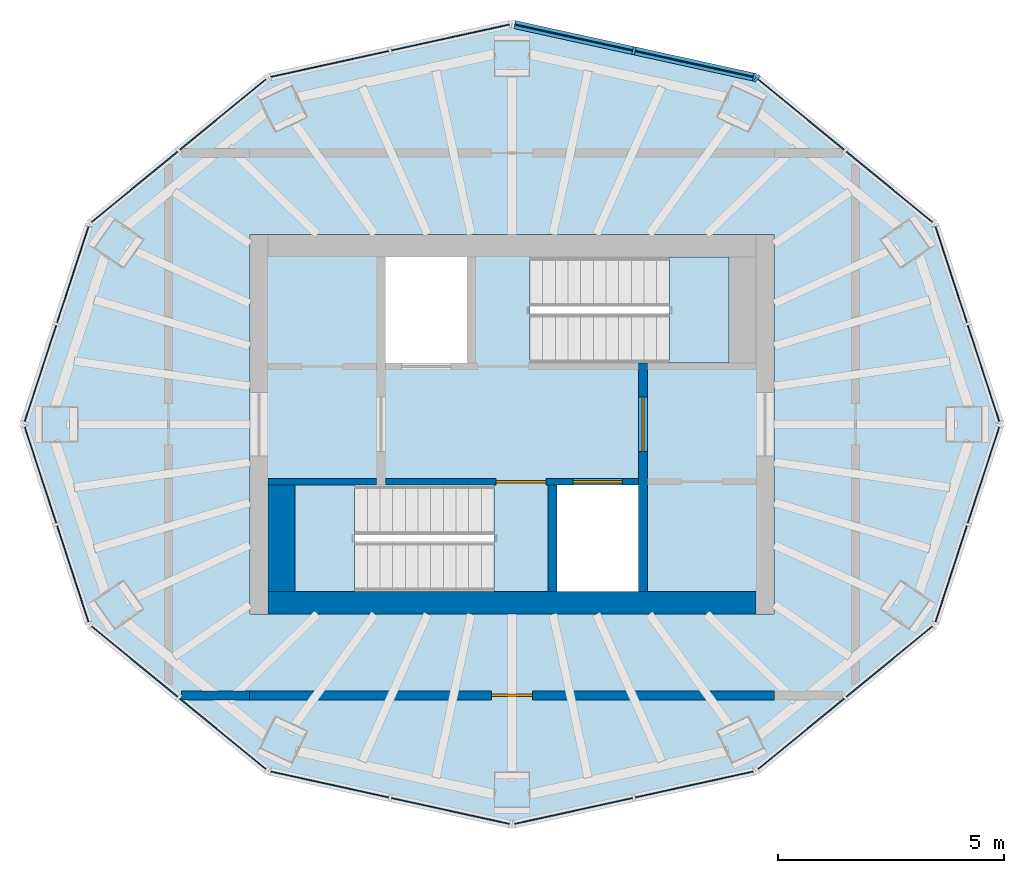
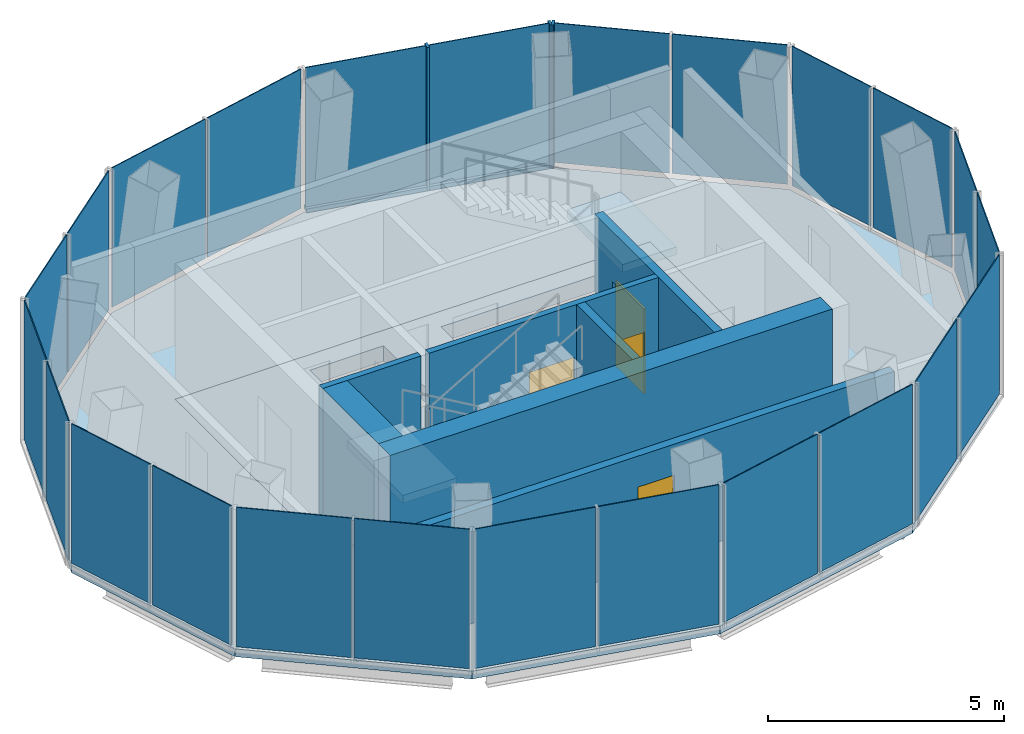
# One storey, part 3 of 5: 24 plates, 8 walls, 5 members, 4 doors, 4 slabs, 4 openings, 14 elements without a shape of their own.
"""IFC4 building model written with IfcOpenShell, lengths in metres."""

from ifc_helpers import new_model, si_unit, direction, frame, frame_2d, origin, origin_2d, place, context, subcontext, project, spatial, polyline, rectangle, outline, extrude, material, layer, layer_set, material_profile, profile_set, type_object, element, fill, aggregate, save


model = new_model("IFC4")

# Units and contexts
model_context = context("Model", 3, precision=1e-05, world=origin(), true_north=direction((0.0, 1.0)))
body_context = subcontext(model_context, "Body", "Model", "MODEL_VIEW")
ifc_project = project(units=[si_unit("LENGTHUNIT", "METRE"), si_unit("AREAUNIT", "SQUARE_METRE"), si_unit("VOLUMEUNIT", "CUBIC_METRE"), si_unit("PLANEANGLEUNIT", "RADIAN"), si_unit("MASSUNIT", "GRAM", prefix="KILO")], contexts=[model_context])

# Site, building, storey
site_placement = place(None, origin())
site = spatial("IfcSite", under=ifc_project, at=site_placement, CompositionType="ELEMENT")
building_placement = place(site_placement, origin())
building = spatial("IfcBuilding", under=site, at=building_placement, Name="Siaravel Broadcast Tower", CompositionType="ELEMENT")
storey_placement = place(building_placement, frame((0.0, 0.0, 288.199951171875)))
storey = spatial("IfcBuildingStorey", under=building, at=storey_placement, Name="L70", CompositionType="ELEMENT", Elevation=288.199951171875)

# Curtain wall, member
ifc_material_1 = material(Name="Aluminium 6063-T6", Category="aluminium")
ifc_layer_1 = layer(ifc_material_1, 0.179931640625)
ifc_layer_set_1 = layer_set([ifc_layer_1], Name="Aluminium 6063-T6")
curtain_wall_type = type_object("IfcCurtainWallType", Name="Crown glass facet wall", PredefinedType="NOTDEFINED", material=ifc_layer_set_1)
curtain_wall_1_placement = place(storey_placement, origin())
curtain_wall_1 = element("IfcCurtainWall", 1, at=curtain_wall_1_placement, inside=storey, type_object=curtain_wall_type, Name="L70 Crown glass facet wall 02", PredefinedType="NOTDEFINED")
ifc_material_profile_1 = material_profile(ifc_material_1, rectangle(XDim=0.179931640625, YDim=0.06005859375, at=origin_2d()))
ifc_profile_set_1 = profile_set([ifc_material_profile_1], Name="Aluminium 6063-T6")
member_type_1 = type_object("IfcMemberType", Name="CW-CR mullion", PredefinedType="MULLION", material=ifc_profile_set_1)
member_1_placement = place(storey_placement, frame((5.42041015625, 7.6533203125, 0.0), z_axis=(0.0, 0.0, 1.0), x_axis=(-0.633718382, -0.773563838, 0.0)))
member_1 = element("IfcMember", 2, at=member_1_placement, type_object=member_type_1, Name="CW-CR mullion 3", PredefinedType="MULLION", context=body_context, shape_type="SweptSolid", body=[
    extrude(rectangle(XDim=0.179931640625, YDim=0.06005859375, at=origin_2d()), origin(), (0.0, 0.0, 1.0), 3.699951171875),
])

# Curtain wall, members
curtain_wall_2_placement = place(storey_placement, origin())
curtain_wall_2 = element("IfcCurtainWall", 3, at=curtain_wall_2_placement, inside=storey, type_object=curtain_wall_type, Name="L70 Crown glass facet wall 03", PredefinedType="NOTDEFINED")
member_2_placement = place(storey_placement, frame((5.367919921875, 7.6787109375, 0.0), z_axis=(0.0, 0.0, 1.0), x_axis=(-0.214396084, -0.976746804, 0.0)))
member_2 = element("IfcMember", 4, at=member_2_placement, type_object=member_type_1, Name="CW-CR mullion 1", PredefinedType="MULLION", context=body_context, shape_type="SweptSolid", body=[
    extrude(rectangle(XDim=0.179931640625, YDim=0.06005859375, at=origin_2d()), origin(), (0.0, 0.0, 1.0), 3.699951171875),
])
member_3_placement = place(storey_placement, frame((2.69873046875, 8.2646484375, 0.0), z_axis=(0.0, 0.0, 1.0), x_axis=(-0.214396084, -0.976746804, 0.0)))
member_3 = element("IfcMember", 5, at=member_3_placement, type_object=member_type_1, Name="CW-CR mullion 2", PredefinedType="MULLION", context=body_context, shape_type="SweptSolid", body=[
    extrude(rectangle(XDim=0.179931640625, YDim=0.06005859375, at=origin_2d()), origin(), (0.0, 0.0, 1.0), 3.699951171875),
])
ifc_material_profile_2 = material_profile(ifc_material_1, rectangle(XDim=0.179931640625, YDim=0.10009765625, at=origin_2d()))
ifc_profile_set_2 = profile_set([ifc_material_profile_2], Name="Aluminium 6063-T6")
member_type_2 = type_object("IfcMemberType", Name="CW-CR transom", PredefinedType="USERDEFINED", material=ifc_profile_set_2)
member_4_placement = place(storey_placement, frame((5.338623046875, 7.68505859375, 0.050048828125), z_axis=(-0.976729877, 0.214473184, 0.0), x_axis=(-0.214473184, -0.976729877, 0.0)))
member_4 = element("IfcMember", 6, at=member_4_placement, type_object=member_type_2, Name="CW-CR transom 1", ObjectType="TRANSOM", PredefinedType="USERDEFINED", context=body_context, shape_type="SweptSolid", body=[
    extrude(rectangle(XDim=0.179931640625, YDim=0.10009765625, at=origin_2d()), origin(), (0.0, 0.0, 1.0), 2.6728515625),
])
member_5_placement = place(storey_placement, frame((2.66943359375, 8.27099609375, 0.050048828125), z_axis=(-0.976753206, 0.214366914, 0.0), x_axis=(-0.214366914, -0.976753206, 0.0)))
member_5 = element("IfcMember", 7, at=member_5_placement, type_object=member_type_2, Name="CW-CR transom 2", ObjectType="TRANSOM", PredefinedType="USERDEFINED", context=body_context, shape_type="SweptSolid", body=[
    extrude(rectangle(XDim=0.179931640625, YDim=0.10009765625, at=origin_2d()), origin(), (0.0, 0.0, 1.0), 2.673095703125),
])

# Curtain wall, plates
curtain_wall_3_placement = place(storey_placement, origin())
curtain_wall_3 = element("IfcCurtainWall", 8, at=curtain_wall_3_placement, inside=storey, type_object=curtain_wall_type, Name="L70 Crown glass facet wall 01", PredefinedType="NOTDEFINED")
ifc_material_2 = material(Name="Low-iron laminated glass", Category="glass")
ifc_layer_2 = layer(ifc_material_2, 0.02392578125)
ifc_layer_set_2 = layer_set([ifc_layer_2], Name="Low-iron laminated glass")
plate_type = type_object("IfcPlateType", Name="CW-CR glass panel", PredefinedType="CURTAIN_PANEL", material=ifc_layer_set_2)
plate_1_placement = place(storey_placement, frame((10.434814453125, 1.122314453125, 0.10009765625), z_axis=(0.0, 0.0, 1.0), x_axis=(-0.310853173, 0.950457945, 0.0)))
plate_1 = element("IfcPlate", 9, at=plate_1_placement, type_object=plate_type, Name="CW-CR glass panel", PredefinedType="CURTAIN_PANEL", context=body_context, shape_type="SweptSolid", body=[
    extrude(rectangle(XDim=2.24169921875, YDim=0.02392578125, at=origin_2d()), origin(), (0.0, 0.0, 1.0), 3.60009765625),
])
plate_2_placement = place(storey_placement, frame((9.719482421875, 3.31005859375, 0.10009765625), z_axis=(0.0, 0.0, 1.0), x_axis=(-0.310853173, 0.950457945, 0.0)))
plate_2 = element("IfcPlate", 10, at=plate_2_placement, type_object=plate_type, Name="CW-CR glass panel", PredefinedType="CURTAIN_PANEL", context=body_context, shape_type="SweptSolid", body=[
    extrude(rectangle(XDim=2.24169921875, YDim=0.02392578125, at=origin_2d()), origin(), (0.0, 0.0, 1.0), 3.60009765625),
])
aggregate(curtain_wall_3, [plate_1, plate_2])

# Plate
plate_3_placement = place(storey_placement, frame((8.351806640625, 5.251708984375, 0.10009765625), z_axis=(0.0, 0.0, 1.0), x_axis=(-0.773563838, 0.633718382, 0.0)))
plate_3 = element("IfcPlate", 11, at=plate_3_placement, type_object=plate_type, Name="CW-CR glass panel", PredefinedType="CURTAIN_PANEL", context=body_context, shape_type="SweptSolid", body=[
    extrude(rectangle(XDim=2.46630859375, YDim=0.02392578125, at=origin_2d()), origin(), (0.0, 0.0, 1.0), 3.60009765625),
])

plate_4_placement = place(storey_placement, frame((6.397705078125, 6.852783203125, 0.10009765625), z_axis=(0.0, 0.0, 1.0), x_axis=(-0.773563838, 0.633718382, 0.0)))
plate_4 = element("IfcPlate", 12, at=plate_4_placement, type_object=plate_type, Name="CW-CR glass panel", PredefinedType="CURTAIN_PANEL", context=body_context, shape_type="SweptSolid", body=[
    extrude(rectangle(XDim=2.46630859375, YDim=0.02392578125, at=origin_2d()), origin(), (0.0, 0.0, 1.0), 3.60009765625),
])

aggregate(curtain_wall_1, [member_1, plate_3, plate_4])

plate_5_placement = place(storey_placement, frame((4.033203125, 7.9716796875, 0.10009765625), z_axis=(0.0, 0.0, 1.0), x_axis=(-0.976746804, 0.214396084, 0.0)))
plate_5 = element("IfcPlate", 13, at=plate_5_placement, type_object=plate_type, Name="CW-CR glass panel", PredefinedType="CURTAIN_PANEL", context=body_context, shape_type="SweptSolid", body=[
    extrude(rectangle(XDim=2.6728515625, YDim=0.02392578125, at=origin_2d()), origin(), (0.0, 0.0, 1.0), 3.60009765625),
])

plate_6_placement = place(storey_placement, frame((1.364013671875, 8.5576171875, 0.10009765625), z_axis=(0.0, 0.0, 1.0), x_axis=(-0.976746804, 0.214396084, 0.0)))
plate_6 = element("IfcPlate", 14, at=plate_6_placement, type_object=plate_type, Name="CW-CR glass panel", PredefinedType="CURTAIN_PANEL", context=body_context, shape_type="SweptSolid", body=[
    extrude(rectangle(XDim=2.6728515625, YDim=0.02392578125, at=origin_2d()), origin(), (0.0, 0.0, 1.0), 3.60009765625),
])

aggregate(curtain_wall_2, [member_2, member_3, member_4, plate_5, member_5, plate_6])

# Curtain wall, plates
curtain_wall_4_placement = place(storey_placement, origin())
curtain_wall_4 = element("IfcCurtainWall", 15, at=curtain_wall_4_placement, inside=storey, type_object=curtain_wall_type, Name="L70 Crown glass facet wall 04", PredefinedType="NOTDEFINED")
plate_7_placement = place(storey_placement, frame((-1.364013671875, 8.5576171875, 0.10009765625), z_axis=(0.0, 0.0, 1.0), x_axis=(-0.976746804, -0.214396084, 0.0)))
plate_7 = element("IfcPlate", 16, at=plate_7_placement, type_object=plate_type, Name="CW-CR glass panel", PredefinedType="CURTAIN_PANEL", context=body_context, shape_type="SweptSolid", body=[
    extrude(rectangle(XDim=2.6728515625, YDim=0.02392578125, at=origin_2d()), origin(), (0.0, 0.0, 1.0), 3.60009765625),
])
plate_8_placement = place(storey_placement, frame((-4.033203125, 7.9716796875, 0.10009765625), z_axis=(0.0, 0.0, 1.0), x_axis=(-0.976746804, -0.214396084, 0.0)))
plate_8 = element("IfcPlate", 17, at=plate_8_placement, type_object=plate_type, Name="CW-CR glass panel", PredefinedType="CURTAIN_PANEL", context=body_context, shape_type="SweptSolid", body=[
    extrude(rectangle(XDim=2.6728515625, YDim=0.02392578125, at=origin_2d()), origin(), (0.0, 0.0, 1.0), 3.60009765625),
])
aggregate(curtain_wall_4, [plate_7, plate_8])

curtain_wall_5_placement = place(storey_placement, origin())
curtain_wall_5 = element("IfcCurtainWall", 18, at=curtain_wall_5_placement, inside=storey, type_object=curtain_wall_type, Name="L70 Crown glass facet wall 05", PredefinedType="NOTDEFINED")
plate_9_placement = place(storey_placement, frame((-6.397705078125, 6.852783203125, 0.10009765625), z_axis=(0.0, 0.0, 1.0), x_axis=(-0.773563838, -0.633718382, 0.0)))
plate_9 = element("IfcPlate", 19, at=plate_9_placement, type_object=plate_type, Name="CW-CR glass panel", PredefinedType="CURTAIN_PANEL", context=body_context, shape_type="SweptSolid", body=[
    extrude(rectangle(XDim=2.46630859375, YDim=0.02392578125, at=origin_2d()), origin(), (0.0, 0.0, 1.0), 3.60009765625),
])
plate_10_placement = place(storey_placement, frame((-8.351806640625, 5.251708984375, 0.10009765625), z_axis=(0.0, 0.0, 1.0), x_axis=(-0.773563838, -0.633718382, 0.0)))
plate_10 = element("IfcPlate", 20, at=plate_10_placement, type_object=plate_type, Name="CW-CR glass panel", PredefinedType="CURTAIN_PANEL", context=body_context, shape_type="SweptSolid", body=[
    extrude(rectangle(XDim=2.46630859375, YDim=0.02392578125, at=origin_2d()), origin(), (0.0, 0.0, 1.0), 3.60009765625),
])
aggregate(curtain_wall_5, [plate_9, plate_10])

curtain_wall_6_placement = place(storey_placement, origin())
curtain_wall_6 = element("IfcCurtainWall", 21, at=curtain_wall_6_placement, inside=storey, type_object=curtain_wall_type, Name="L70 Crown glass facet wall 06", PredefinedType="NOTDEFINED")
plate_11_placement = place(storey_placement, frame((-9.719482421875, 3.31005859375, 0.10009765625), z_axis=(0.0, 0.0, 1.0), x_axis=(-0.310853173, -0.950457945, 0.0)))
plate_11 = element("IfcPlate", 22, at=plate_11_placement, type_object=plate_type, Name="CW-CR glass panel", PredefinedType="CURTAIN_PANEL", context=body_context, shape_type="SweptSolid", body=[
    extrude(rectangle(XDim=2.24169921875, YDim=0.02392578125, at=origin_2d()), origin(), (0.0, 0.0, 1.0), 3.60009765625),
])
plate_12_placement = place(storey_placement, frame((-10.434814453125, 1.122314453125, 0.10009765625), z_axis=(0.0, 0.0, 1.0), x_axis=(-0.310853173, -0.950457945, 0.0)))
plate_12 = element("IfcPlate", 23, at=plate_12_placement, type_object=plate_type, Name="CW-CR glass panel", PredefinedType="CURTAIN_PANEL", context=body_context, shape_type="SweptSolid", body=[
    extrude(rectangle(XDim=2.24169921875, YDim=0.02392578125, at=origin_2d()), origin(), (0.0, 0.0, 1.0), 3.60009765625),
])
aggregate(curtain_wall_6, [plate_11, plate_12])

curtain_wall_7_placement = place(storey_placement, origin())
curtain_wall_7 = element("IfcCurtainWall", 24, at=curtain_wall_7_placement, inside=storey, type_object=curtain_wall_type, Name="L70 Crown glass facet wall 07", PredefinedType="NOTDEFINED")
plate_13_placement = place(storey_placement, frame((-10.434814453125, -1.122314453125, 0.10009765625), z_axis=(0.0, 0.0, 1.0), x_axis=(0.310853173, -0.950457945, 0.0)))
plate_13 = element("IfcPlate", 25, at=plate_13_placement, type_object=plate_type, Name="CW-CR glass panel", PredefinedType="CURTAIN_PANEL", context=body_context, shape_type="SweptSolid", body=[
    extrude(rectangle(XDim=2.24169921875, YDim=0.02392578125, at=origin_2d()), origin(), (0.0, 0.0, 1.0), 3.60009765625),
])
plate_14_placement = place(storey_placement, frame((-9.719482421875, -3.31005859375, 0.10009765625), z_axis=(0.0, 0.0, 1.0), x_axis=(0.310853173, -0.950457945, 0.0)))
plate_14 = element("IfcPlate", 26, at=plate_14_placement, type_object=plate_type, Name="CW-CR glass panel", PredefinedType="CURTAIN_PANEL", context=body_context, shape_type="SweptSolid", body=[
    extrude(rectangle(XDim=2.24169921875, YDim=0.02392578125, at=origin_2d()), origin(), (0.0, 0.0, 1.0), 3.60009765625),
])
aggregate(curtain_wall_7, [plate_13, plate_14])

curtain_wall_8_placement = place(storey_placement, origin())
curtain_wall_8 = element("IfcCurtainWall", 27, at=curtain_wall_8_placement, inside=storey, type_object=curtain_wall_type, Name="L70 Crown glass facet wall 08", PredefinedType="NOTDEFINED")
plate_15_placement = place(storey_placement, frame((-8.351806640625, -5.251708984375, 0.10009765625), z_axis=(0.0, 0.0, 1.0), x_axis=(0.773563838, -0.633718382, 0.0)))
plate_15 = element("IfcPlate", 28, at=plate_15_placement, type_object=plate_type, Name="CW-CR glass panel", PredefinedType="CURTAIN_PANEL", context=body_context, shape_type="SweptSolid", body=[
    extrude(rectangle(XDim=2.46630859375, YDim=0.02392578125, at=origin_2d()), origin(), (0.0, 0.0, 1.0), 3.60009765625),
])
plate_16_placement = place(storey_placement, frame((-6.397705078125, -6.852783203125, 0.10009765625), z_axis=(0.0, 0.0, 1.0), x_axis=(0.773563838, -0.633718382, 0.0)))
plate_16 = element("IfcPlate", 29, at=plate_16_placement, type_object=plate_type, Name="CW-CR glass panel", PredefinedType="CURTAIN_PANEL", context=body_context, shape_type="SweptSolid", body=[
    extrude(rectangle(XDim=2.46630859375, YDim=0.02392578125, at=origin_2d()), origin(), (0.0, 0.0, 1.0), 3.60009765625),
])
aggregate(curtain_wall_8, [plate_15, plate_16])

curtain_wall_9_placement = place(storey_placement, origin())
curtain_wall_9 = element("IfcCurtainWall", 30, at=curtain_wall_9_placement, inside=storey, type_object=curtain_wall_type, Name="L70 Crown glass facet wall 09", PredefinedType="NOTDEFINED")
plate_17_placement = place(storey_placement, frame((-4.033203125, -7.9716796875, 0.10009765625), z_axis=(0.0, 0.0, 1.0), x_axis=(0.976746804, -0.214396084, 0.0)))
plate_17 = element("IfcPlate", 31, at=plate_17_placement, type_object=plate_type, Name="CW-CR glass panel", PredefinedType="CURTAIN_PANEL", context=body_context, shape_type="SweptSolid", body=[
    extrude(rectangle(XDim=2.6728515625, YDim=0.02392578125, at=origin_2d()), origin(), (0.0, 0.0, 1.0), 3.60009765625),
])
plate_18_placement = place(storey_placement, frame((-1.364013671875, -8.5576171875, 0.10009765625), z_axis=(0.0, 0.0, 1.0), x_axis=(0.976746804, -0.214396084, 0.0)))
plate_18 = element("IfcPlate", 32, at=plate_18_placement, type_object=plate_type, Name="CW-CR glass panel", PredefinedType="CURTAIN_PANEL", context=body_context, shape_type="SweptSolid", body=[
    extrude(rectangle(XDim=2.6728515625, YDim=0.02392578125, at=origin_2d()), origin(), (0.0, 0.0, 1.0), 3.60009765625),
])
aggregate(curtain_wall_9, [plate_17, plate_18])

curtain_wall_10_placement = place(storey_placement, origin())
curtain_wall_10 = element("IfcCurtainWall", 33, at=curtain_wall_10_placement, inside=storey, type_object=curtain_wall_type, Name="L70 Crown glass facet wall 10", PredefinedType="NOTDEFINED")
plate_19_placement = place(storey_placement, frame((1.364013671875, -8.5576171875, 0.10009765625), z_axis=(0.0, 0.0, 1.0), x_axis=(0.976746804, 0.214396084, 0.0)))
plate_19 = element("IfcPlate", 34, at=plate_19_placement, type_object=plate_type, Name="CW-CR glass panel", PredefinedType="CURTAIN_PANEL", context=body_context, shape_type="SweptSolid", body=[
    extrude(rectangle(XDim=2.6728515625, YDim=0.02392578125, at=origin_2d()), origin(), (0.0, 0.0, 1.0), 3.60009765625),
])
plate_20_placement = place(storey_placement, frame((4.033203125, -7.9716796875, 0.10009765625), z_axis=(0.0, 0.0, 1.0), x_axis=(0.976746804, 0.214396084, 0.0)))
plate_20 = element("IfcPlate", 35, at=plate_20_placement, type_object=plate_type, Name="CW-CR glass panel", PredefinedType="CURTAIN_PANEL", context=body_context, shape_type="SweptSolid", body=[
    extrude(rectangle(XDim=2.6728515625, YDim=0.02392578125, at=origin_2d()), origin(), (0.0, 0.0, 1.0), 3.60009765625),
])
aggregate(curtain_wall_10, [plate_19, plate_20])

curtain_wall_11_placement = place(storey_placement, origin())
curtain_wall_11 = element("IfcCurtainWall", 36, at=curtain_wall_11_placement, inside=storey, type_object=curtain_wall_type, Name="L70 Crown glass facet wall 11", PredefinedType="NOTDEFINED")
plate_21_placement = place(storey_placement, frame((6.397705078125, -6.852783203125, 0.10009765625), z_axis=(0.0, 0.0, 1.0), x_axis=(0.773563838, 0.633718382, 0.0)))
plate_21 = element("IfcPlate", 37, at=plate_21_placement, type_object=plate_type, Name="CW-CR glass panel", PredefinedType="CURTAIN_PANEL", context=body_context, shape_type="SweptSolid", body=[
    extrude(rectangle(XDim=2.46630859375, YDim=0.02392578125, at=origin_2d()), origin(), (0.0, 0.0, 1.0), 3.60009765625),
])
plate_22_placement = place(storey_placement, frame((8.351806640625, -5.251708984375, 0.10009765625), z_axis=(0.0, 0.0, 1.0), x_axis=(0.773563838, 0.633718382, 0.0)))
plate_22 = element("IfcPlate", 38, at=plate_22_placement, type_object=plate_type, Name="CW-CR glass panel", PredefinedType="CURTAIN_PANEL", context=body_context, shape_type="SweptSolid", body=[
    extrude(rectangle(XDim=2.46630859375, YDim=0.02392578125, at=origin_2d()), origin(), (0.0, 0.0, 1.0), 3.60009765625),
])
aggregate(curtain_wall_11, [plate_21, plate_22])

curtain_wall_12_placement = place(storey_placement, origin())
curtain_wall_12 = element("IfcCurtainWall", 39, at=curtain_wall_12_placement, inside=storey, type_object=curtain_wall_type, Name="L70 Crown glass facet wall 12", PredefinedType="NOTDEFINED")
plate_23_placement = place(storey_placement, frame((9.719482421875, -3.31005859375, 0.10009765625), z_axis=(0.0, 0.0, 1.0), x_axis=(0.310853173, 0.950457945, 0.0)))
plate_23 = element("IfcPlate", 40, at=plate_23_placement, type_object=plate_type, Name="CW-CR glass panel", PredefinedType="CURTAIN_PANEL", context=body_context, shape_type="SweptSolid", body=[
    extrude(rectangle(XDim=2.24169921875, YDim=0.02392578125, at=origin_2d()), origin(), (0.0, 0.0, 1.0), 3.60009765625),
])
plate_24_placement = place(storey_placement, frame((10.434814453125, -1.122314453125, 0.10009765625), z_axis=(0.0, 0.0, 1.0), x_axis=(0.310853173, 0.950457945, 0.0)))
plate_24 = element("IfcPlate", 41, at=plate_24_placement, type_object=plate_type, Name="CW-CR glass panel", PredefinedType="CURTAIN_PANEL", context=body_context, shape_type="SweptSolid", body=[
    extrude(rectangle(XDim=2.24169921875, YDim=0.02392578125, at=origin_2d()), origin(), (0.0, 0.0, 1.0), 3.60009765625),
])
aggregate(curtain_wall_12, [plate_23, plate_24])

# Slabs
ifc_material_3 = material(Name="Concrete C40/50", Category="concrete")
ifc_layer_3 = layer(ifc_material_3, 0.39990234375)
ifc_layer_set_3 = layer_set([ifc_layer_3], Name="Concrete C40/50")
slab_type_1 = type_object("IfcSlabType", Name="Core floor slab 400", PredefinedType="FLOOR", material=ifc_layer_set_3)
slab_1_placement = place(storey_placement, frame((0.0, 0.0, -0.39990234375)))
element("IfcSlab", 42, at=slab_1_placement, inside=storey, type_object=slab_type_1, Name="L70 core floor", PredefinedType="FLOOR", context=body_context, shape_type="SweptSolid", body=[
    extrude(outline(polyline([(-5.800048828125, -4.199951171875), (-5.800048828125, 4.199951171875), (5.800048828125, 4.199951171875), (5.800048828125, -4.199951171875), (-5.800048828125, -4.199951171875)]), holes=[polyline([(0.400390625, 3.699462890625), (0.400390625, 1.3505859375), (4.799560546875, 1.3505859375), (4.799560546875, 3.699462890625), (0.400390625, 3.699462890625)]), polyline([(1.0, -3.699951171875), (2.800048828125, -3.699951171875), (2.800048828125, -1.35009765625), (1.0, -1.35009765625), (1.0, -3.699951171875)]), polyline([(-0.400390625, -3.699462890625), (-0.400390625, -1.3505859375), (-4.799560546875, -1.3505859375), (-4.799560546875, -3.699462890625), (-0.400390625, -3.699462890625)]), polyline([(-2.800048828125, 1.35009765625), (-1.0, 1.35009765625), (-1.0, 3.699951171875), (-2.800048828125, 3.699951171875), (-2.800048828125, 1.35009765625)])]), origin(), (0.0, 0.0, 1.0), 0.39990234375),
])
ifc_layer_4 = layer(ifc_material_3, 0.199951171875)
ifc_layer_set_4 = layer_set([ifc_layer_4], Name="Concrete C40/50")
slab_type_2 = type_object("IfcSlabType", Name="SLB-FLOOR-200", PredefinedType="FLOOR", material=ifc_layer_set_4)
slab_2_placement = place(storey_placement, frame((0.0, 0.0, -0.199951171875)))
element("IfcSlab", 43, at=slab_2_placement, inside=storey, type_object=slab_type_2, Name="Floor slab", PredefinedType="FLOOR", context=body_context, shape_type="SweptSolid", body=[
    extrude(outline(polyline([(10.751953125, 0.0), (9.311279296875, 4.403564453125), (5.3759765625, 7.627197265625), (0.0, 8.806884765625), (-5.3759765625, 7.627197265625), (-9.311279296875, 4.403564453125), (-10.751953125, 0.0), (-9.311279296875, -4.403564453125), (-5.3759765625, -7.627197265625), (0.0, -8.806884765625), (5.3759765625, -7.627197265625), (9.311279296875, -4.403564453125), (10.751953125, 0.0)]), holes=[polyline([(-5.800048828125, 4.199951171875), (5.800048828125, 4.199951171875), (5.800048828125, -4.199951171875), (-5.800048828125, -4.199951171875), (-5.800048828125, 4.199951171875)])]), origin(), (0.0, 0.0, 1.0), 0.199951171875),
])

# Stair, slab
stair_type = type_object("IfcStairType", Name="Core exit stair", PredefinedType="HALF_TURN_STAIR", material=ifc_material_3)
stair_1_placement = place(storey_placement, origin())
stair_1 = element("IfcStair", 44, at=stair_1_placement, inside=storey, type_object=stair_type, Name="L70 Exit stair ST-C1", PredefinedType="HALF_TURN_STAIR")
ifc_layer_5 = layer(ifc_material_3, 0.199951171875)
ifc_layer_set_5 = layer_set([ifc_layer_5], Name="Concrete C40/50")
slab_type_3 = type_object("IfcSlabType", Name="Stair landing", PredefinedType="LANDING", material=ifc_layer_set_5)
slab_3_placement = place(storey_placement, frame((0.0, 0.0, 1.75)))
slab_3 = element("IfcSlab", 45, at=slab_3_placement, type_object=slab_type_3, Name="ST-C1 landing 1", PredefinedType="LANDING", context=body_context, shape_type="SweptSolid", body=[
    extrude(outline(polyline([(3.47998046875, 1.35009765625), (4.800048828125, 1.35009765625), (4.800048828125, 3.699951171875), (3.47998046875, 3.699951171875), (3.47998046875, 1.35009765625)])), origin(), (0.0, 0.0, 1.0), 0.199951171875),
])
aggregate(stair_1, [slab_3])

stair_2_placement = place(storey_placement, origin())
stair_2 = element("IfcStair", 46, at=stair_2_placement, inside=storey, type_object=stair_type, Name="L70 Exit stair ST-C2", PredefinedType="HALF_TURN_STAIR")
slab_4_placement = place(storey_placement, frame((0.0, 0.0, 1.75)))
slab_4 = element("IfcSlab", 47, at=slab_4_placement, type_object=slab_type_3, Name="ST-C2 landing 1", PredefinedType="LANDING", context=body_context, shape_type="SweptSolid", body=[
    extrude(outline(polyline([(-3.47998046875, -1.35009765625), (-4.800048828125, -1.35009765625), (-4.800048828125, -3.699951171875), (-3.47998046875, -3.699951171875), (-3.47998046875, -1.35009765625)])), origin(), (0.0, 0.0, 1.0), 0.199951171875),
])
aggregate(stair_2, [slab_4])

# Wall
ifc_material_4 = material(Name="Concrete C60/75", Category="concrete")
ifc_layer_6 = layer(ifc_material_4, 0.5)
ifc_layer_set_6 = layer_set([ifc_layer_6], Name="Concrete C60/75")
wall_type_1 = type_object("IfcWallType", Name="Core wall 500", PredefinedType="SHEAR", material=ifc_layer_set_6)
wall_1_placement = place(storey_placement, frame((-5.39990234375, -3.949951171875, 0.0), z_axis=(0.0, 0.0, 1.0), x_axis=(1.0, 0.0, 0.0)))
element("IfcWall", 48, at=wall_1_placement, inside=storey, type_object=wall_type_1, Name="L70 core wall OS", PredefinedType="SHEAR", context=body_context, shape_type="SweptSolid", body=[
    extrude(rectangle(XDim=10.7998046875, YDim=0.5, at=frame_2d((5.39990234375, 0.0))), origin(), (0.0, 0.0, 1.0), 3.5),
])

# Wall, opening, door
ifc_material_5 = material(Name="Concrete blockwork", Category="masonry")
ifc_layer_7 = layer(ifc_material_5, 0.199951171875)
ifc_layer_set_7 = layer_set([ifc_layer_7], Name="Concrete blockwork")
wall_type_2 = type_object("IfcWallType", Name="Plant room wall 200", PredefinedType="PARTITIONING", material=ifc_layer_set_7)
wall_2_placement = place(storey_placement, frame((-5.81201171875, -6.0, 0.0), z_axis=(0.0, 0.0, 1.0), x_axis=(1.0, 0.0, 0.0)))
wall_2 = element("IfcWall", 49, at=wall_2_placement, inside=storey, type_object=wall_type_2, Name="L70 partition 1", PredefinedType="PARTITIONING", context=body_context, shape_type="SweptSolid", body=[
    extrude(rectangle(XDim=11.6240234375, YDim=0.199951171875, at=frame_2d((5.81201171875, 0.0))), origin(), (0.0, 0.0, 1.0), 2.900146484375),
])
opening_1_placement = place(wall_2_placement, frame((5.362060546875, 0.0, 0.0)))
opening_1 = element("IfcOpeningElement", 50, at=opening_1_placement, cuts=wall_2, Name="Opening L70-004", PredefinedType="OPENING", context=body_context, shape_type="SweptSolid", body=[
    extrude(rectangle(XDim=0.89990234375, YDim=2.10009765625, at=frame_2d((0.449951171875, 1.050048828125))), frame((0.0, 0.10986328125, 0.0), z_axis=(0.0, -1.0, 0.0), x_axis=(1.0, 0.0, 0.0)), (0.0, 0.0, 1.0), 0.219970703125),
])
ifc_material_6 = material(Name="Steel", Category="steel")
door_type_1 = type_object("IfcDoorType", Name="Plant room door 900", OperationType="SINGLE_SWING_LEFT", PredefinedType="DOOR", material=ifc_material_6)
door_1_placement = place(opening_1_placement, origin())
door_1 = element("IfcDoor", 51, at=door_1_placement, inside=storey, type_object=door_type_1, Name="L70 door to Water tank room", OperationType="SINGLE_SWING_RIGHT", OverallHeight=2.10009765625, OverallWidth=0.89990234375, PredefinedType="DOOR", context=body_context, shape_type="SweptSolid", body=[
    extrude(rectangle(XDim=0.89990234375, YDim=2.10009765625, at=frame_2d((0.449951171875, 1.050048828125))), frame((0.0, 0.02490234375, 0.0), z_axis=(0.0, -1.0, 0.0), x_axis=(1.0, 0.0, 0.0)), (0.0, 0.0, 1.0), 0.050048828125),
])
fill(opening_1, door_1)

# Walls
wall_3_placement = place(storey_placement, frame((-7.3125, -6.0, 0.0), z_axis=(0.0, 0.0, 1.0), x_axis=(1.0, 0.0, 0.0)))
element("IfcWall", 52, at=wall_3_placement, inside=storey, type_object=wall_type_2, Name="L70 partition 5", PredefinedType="PARTITIONING", context=body_context, shape_type="SweptSolid", body=[
    extrude(rectangle(XDim=1.49951171875, YDim=0.199951171875, at=frame_2d((0.749755859375, 0.0))), origin(), (0.0, 0.0, 1.0), 2.900146484375),
])
ifc_layer_8 = layer(ifc_material_4, 0.14990234375)
ifc_layer_set_8 = layer_set([ifc_layer_8], Name="Concrete C60/75")
wall_type_3 = type_object("IfcWallType", Name="Shaft wall 150", PredefinedType="SHEAR", material=ifc_layer_set_8)
wall_4_placement = place(storey_placement, frame((-5.39990234375, -1.27490234375, 0.0), z_axis=(0.0, 0.0, 1.0), x_axis=(1.0, 0.0, 0.0)))
element("IfcWall", 53, at=wall_4_placement, inside=storey, type_object=wall_type_3, Name="L70 core wall CSW", PredefinedType="SHEAR", context=body_context, shape_type="SweptSolid", body=[
    extrude(rectangle(XDim=2.39990234375, YDim=0.14990234375, at=frame_2d((1.199951171875, 0.0))), origin(), (0.0, 0.0, 1.0), 3.5),
])

# Wall, openings, doors
wall_5_placement = place(storey_placement, frame((-2.800048828125, -1.27490234375, 0.0), z_axis=(0.0, 0.0, 1.0), x_axis=(1.0, 0.0, 0.0)))
wall_5 = element("IfcWall", 54, at=wall_5_placement, inside=storey, type_object=wall_type_3, Name="L70 core wall CSM", PredefinedType="SHEAR", context=body_context, shape_type="SweptSolid", body=[
    extrude(rectangle(XDim=5.60009765625, YDim=0.14990234375, at=frame_2d((2.800048828125, 0.0))), origin(), (0.0, 0.0, 1.0), 3.5),
])
opening_2_placement = place(wall_5_placement, frame((4.14990234375, 0.0, 0.0)))
opening_2 = element("IfcOpeningElement", 55, at=opening_2_placement, cuts=wall_5, Name="Opening LD-FL2-L70", PredefinedType="OPENING", context=body_context, shape_type="SweptSolid", body=[
    extrude(rectangle(XDim=1.10009765625, YDim=2.199951171875, at=frame_2d((0.550048828125, 1.10009765625))), frame((0.0, 0.0849609375, 0.0), z_axis=(0.0, -1.0, 0.0), x_axis=(1.0, 0.0, 0.0)), (0.0, 0.0, 1.0), 0.169921875),
])
opening_3_placement = place(wall_5_placement, frame((2.449951171875, 0.0, 0.0)))
opening_3 = element("IfcOpeningElement", 56, at=opening_3_placement, cuts=wall_5, Name="Opening L70-DS-C2", PredefinedType="OPENING", context=body_context, shape_type="SweptSolid", body=[
    extrude(rectangle(XDim=1.10009765625, YDim=2.14990234375, at=frame_2d((0.550048828125, 1.074951171875))), frame((0.0, 0.0849609375, 0.0), z_axis=(0.0, -1.0, 0.0), x_axis=(1.0, 0.0, 0.0)), (0.0, 0.0, 1.0), 0.169921875),
])
ifc_material_7 = material(Name="Stainless steel 316L", Category="steel")
door_type_2 = type_object("IfcDoorType", Name="Firefighting lift landing door 1100", OperationType="DOUBLE_DOOR_SLIDING", PredefinedType="DOOR", material=ifc_material_7)
door_2_placement = place(opening_2_placement, origin())
door_2 = element("IfcDoor", 57, at=door_2_placement, inside=storey, type_object=door_type_2, Name="Landing door FL2 L70", OperationType="DOUBLE_DOOR_SLIDING", OverallHeight=2.199951171875, OverallWidth=1.10009765625, PredefinedType="DOOR", context=body_context, shape_type="SweptSolid", body=[
    extrude(rectangle(XDim=1.10009765625, YDim=2.199951171875, at=frame_2d((0.550048828125, 1.10009765625))), frame((0.0, 0.02490234375, 0.0), z_axis=(0.0, -1.0, 0.0), x_axis=(1.0, 0.0, 0.0)), (0.0, 0.0, 1.0), 0.050048828125),
])
fill(opening_2, door_2)
door_type_3 = type_object("IfcDoorType", Name="Stair door 1100", OperationType="SINGLE_SWING_LEFT", PredefinedType="DOOR", material=ifc_material_6)
door_3_placement = place(opening_3_placement, origin())
door_3 = element("IfcDoor", 58, at=door_3_placement, inside=storey, type_object=door_type_3, Name="L70 door DS-C2", OperationType="SINGLE_SWING_LEFT", OverallHeight=2.14990234375, OverallWidth=1.10009765625, PredefinedType="DOOR", context=body_context, shape_type="SweptSolid", body=[
    extrude(rectangle(XDim=1.10009765625, YDim=2.14990234375, at=frame_2d((0.550048828125, 1.074951171875))), frame((0.0, 0.02490234375, 0.0), z_axis=(0.0, -1.0, 0.0), x_axis=(1.0, 0.0, 0.0)), (0.0, 0.0, 1.0), 0.050048828125),
])
fill(opening_3, door_3)

# Wall, opening, door
ifc_layer_9 = layer(ifc_material_4, 0.199951171875)
ifc_layer_set_9 = layer_set([ifc_layer_9], Name="Concrete C60/75")
wall_type_4 = type_object("IfcWallType", Name="Shaft wall 200", PredefinedType="SHEAR", material=ifc_layer_set_9)
wall_6_placement = place(storey_placement, frame((2.89990234375, -3.699951171875, 0.0), z_axis=(0.0, 0.0, 1.0), x_axis=(0.0, 1.0, 0.0)))
wall_6 = element("IfcWall", 59, at=wall_6_placement, inside=storey, type_object=wall_type_4, Name="L70 core wall LE", PredefinedType="SHEAR", context=body_context, shape_type="SweptSolid", body=[
    extrude(rectangle(XDim=5.050048828125, YDim=0.199951171875, at=frame_2d((2.52490234375, 0.0))), origin(), (0.0, 0.0, 1.0), 3.5),
])
opening_4_placement = place(wall_6_placement, frame((3.10009765625, 0.0, 0.0)))
opening_4 = element("IfcOpeningElement", 60, at=opening_4_placement, cuts=wall_6, Name="Opening L70-DL-E", PredefinedType="OPENING", context=body_context, shape_type="SweptSolid", body=[
    extrude(rectangle(XDim=1.199951171875, YDim=2.199951171875, at=frame_2d((0.60009765625, 1.10009765625))), frame((0.0, 0.10986328125, 0.0), z_axis=(0.0, -1.0, 0.0), x_axis=(1.0, 0.0, 0.0)), (0.0, 0.0, 1.0), 0.219970703125),
])
door_type_4 = type_object("IfcDoorType", Name="Firefighting lobby door 1200", OperationType="SINGLE_SWING_LEFT", PredefinedType="DOOR", material=ifc_material_6)
door_4_placement = place(opening_4_placement, origin())
door_4 = element("IfcDoor", 61, at=door_4_placement, inside=storey, type_object=door_type_4, Name="L70 door DL-E", OperationType="SINGLE_SWING_LEFT", OverallHeight=2.199951171875, OverallWidth=1.199951171875, PredefinedType="DOOR", context=body_context, shape_type="SweptSolid", body=[
    extrude(rectangle(XDim=1.199951171875, YDim=2.199951171875, at=frame_2d((0.60009765625, 1.10009765625))), frame((0.0, 0.02490234375, 0.0), z_axis=(0.0, -1.0, 0.0), x_axis=(1.0, 0.0, 0.0)), (0.0, 0.0, 1.0), 0.050048828125),
])
fill(opening_4, door_4)

# Walls
wall_7_placement = place(storey_placement, frame((0.89990234375, -3.699951171875, 0.0), z_axis=(0.0, 0.0, 1.0), x_axis=(0.0, 1.0, 0.0)))
element("IfcWall", 62, at=wall_7_placement, inside=storey, type_object=wall_type_4, Name="L70 core wall FF2W", PredefinedType="SHEAR", context=body_context, shape_type="SweptSolid", body=[
    extrude(rectangle(XDim=2.349853515625, YDim=0.199951171875, at=frame_2d((1.1748046875, 0.0))), origin(), (0.0, 0.0, 1.0), 3.5),
])
ifc_layer_10 = layer(ifc_material_4, 0.60009765625)
ifc_layer_set_10 = layer_set([ifc_layer_10], Name="Concrete C60/75")
wall_type_5 = type_object("IfcWallType", Name="Shaft wall 600", PredefinedType="SHEAR", material=ifc_layer_set_10)
wall_8_placement = place(storey_placement, frame((-5.10009765625, -3.699951171875, 0.0), z_axis=(0.0, 0.0, 1.0), x_axis=(0.0, 1.0, 0.0)))
element("IfcWall", 63, at=wall_8_placement, inside=storey, type_object=wall_type_5, Name="L70 core wall STCW", PredefinedType="SHEAR", context=body_context, shape_type="SweptSolid", body=[
    extrude(rectangle(XDim=2.349853515625, YDim=0.60009765625, at=frame_2d((1.1748046875, 0.0))), origin(), (0.0, 0.0, 1.0), 3.5),
])

save(model, "model.ifc")
